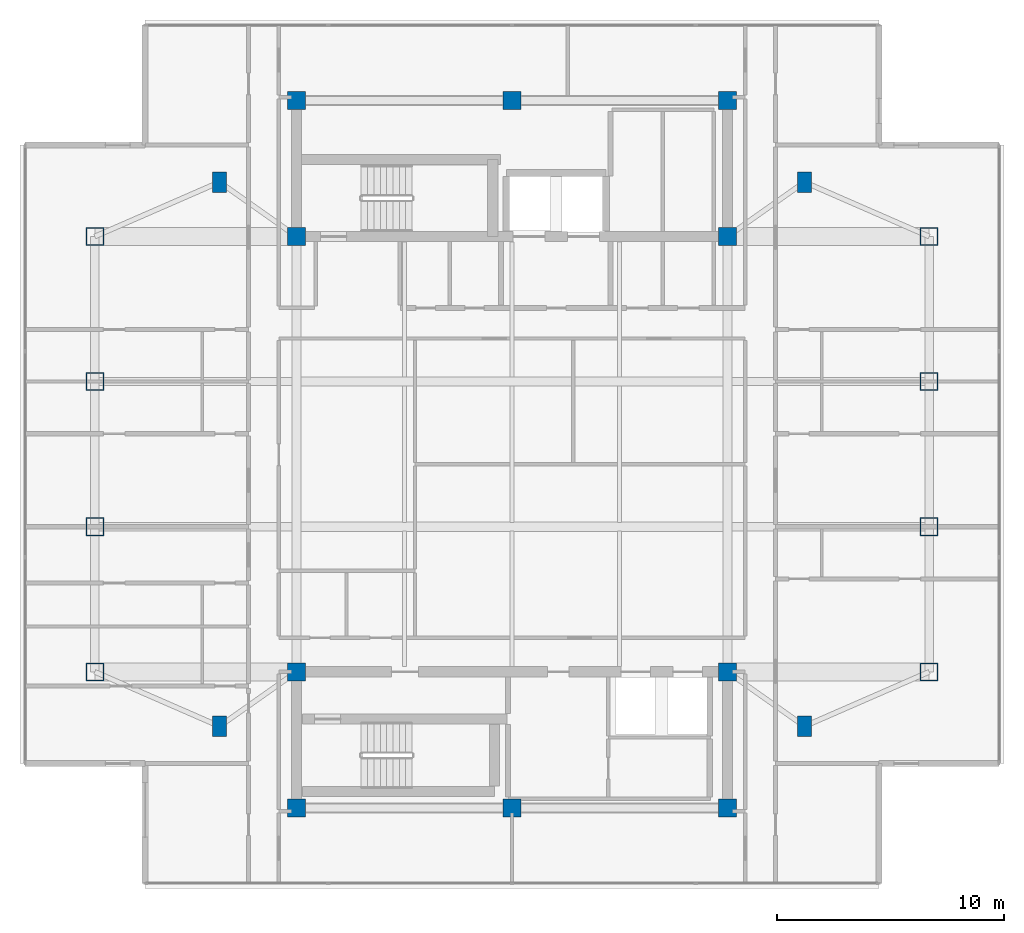
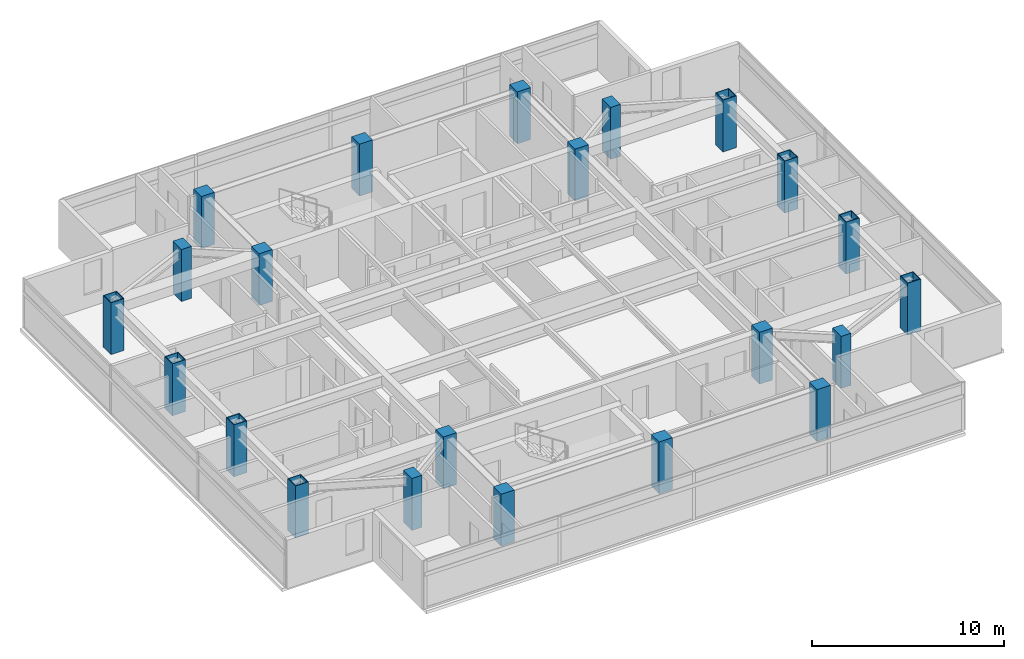
# One storey, part 1 of 14: 22 columns.
"""IFC4 building model written with IfcOpenShell, lengths in metres."""

import ifcopenshell
import ifcopenshell.guid

model = None  # the IFC model being written
_history = None  # IfcOwnerHistory: only IFC2X3 demands one
_inside = {}  # id of a spatial element -> (the spatial element, [elements in it])
_under = {}  # id of a project, library or spatial element -> (it, [spatial elements below it])
_declared = {}  # id of a project -> (the project, [libraries it declares])
_typed = {}  # id of a type object -> (the type object, [elements of that type])
_made_of = {}  # id of a material, layer set ... -> (it, [elements and type objects made of it])


def new_model(schema):
    """Start an empty IFC model of exactly this schema.

    Asked for "IFC4X3", IfcOpenShell would pick the latest addendum, in which some entities
    have other attributes; the version numbers below select the first issue.
    IFC2X3 requires an IfcOwnerHistory on every rooted entity: one is made here for all.
    """
    global model, _history
    if schema == "IFC4X3":
        model = ifcopenshell.file(schema_version=(4, 3, 0, 0))
    else:
        model = ifcopenshell.file(schema=schema)
    _inside.clear()
    _under.clear()
    _declared.clear()
    _typed.clear()
    _made_of.clear()
    _history = None
    if model.schema == "IFC2X3":
        org = make("IfcOrganization", Name="unknown")
        user = make(
            "IfcPersonAndOrganization",
            ThePerson=make("IfcPerson", FamilyName="unknown"),
            TheOrganization=org,
        )
        app = make(
            "IfcApplication",
            ApplicationDeveloper=org,
            Version="unknown",
            ApplicationFullName="unknown",
            ApplicationIdentifier="unknown",
        )
        _history = make(
            "IfcOwnerHistory",
            OwningUser=user,
            OwningApplication=app,
            ChangeAction="ADDED",
            CreationDate=0,
        )
    return model


def make(cls, **values):
    """One entity of the class cls with the attributes given. An attribute that is None is left unset."""
    return model.create_entity(
        cls, **{name: value for name, value in values.items() if value is not None}
    )


def rooted(cls, **values):
    """An entity with a GlobalId (a new one), such as an element, a storey or a relation."""
    return make(cls, GlobalId=ifcopenshell.guid.new(), OwnerHistory=_history, **values)


def si_unit(unit_type, name, prefix=None):
    """IfcSIUnit, for example si_unit("LENGTHUNIT", "METRE", prefix="MILLI")."""
    return make("IfcSIUnit", UnitType=unit_type, Prefix=prefix, Name=name)


def assignment(units):
    """IfcUnitAssignment: the units of a project."""
    return None if units is None else make("IfcUnitAssignment", Units=units)


def point(xyz):
    """IfcCartesianPoint."""
    return None if xyz is None else make("IfcCartesianPoint", Coordinates=xyz)


def direction(xyz):
    """IfcDirection."""
    return None if xyz is None else make("IfcDirection", DirectionRatios=xyz)


def frame(location, z_axis=None, x_axis=None):
    """IfcAxis2Placement3D, a coordinate frame: its origin and axes. An axis left out is left unset."""
    return make(
        "IfcAxis2Placement3D",
        Location=point(location),
        Axis=direction(z_axis),
        RefDirection=direction(x_axis),
    )


def frame_2d(location, x_axis=None):
    """IfcAxis2Placement2D, a coordinate frame in the plane: its origin and x axis."""
    return make(
        "IfcAxis2Placement2D", Location=point(location), RefDirection=direction(x_axis)
    )


def origin():
    """The frame at (0, 0, 0) with its axes left unset."""
    return frame((0.0, 0.0, 0.0))


def origin_2d():
    """The frame at (0, 0) in the plane with its x axis left unset."""
    return frame_2d((0.0, 0.0))


def place(relative_to, where):
    """IfcLocalPlacement: puts the frame where relative to a parent placement (None: the world)."""
    return make(
        "IfcLocalPlacement", PlacementRelTo=relative_to, RelativePlacement=where
    )


def context(
    kind, dimensions, precision=None, world=None, true_north=None, identifier=None
):
    """IfcGeometricRepresentationContext, for example the 3D "Model" context."""
    return make(
        "IfcGeometricRepresentationContext",
        ContextIdentifier=identifier,
        ContextType=kind,
        CoordinateSpaceDimension=dimensions,
        Precision=precision,
        WorldCoordinateSystem=world,
        TrueNorth=true_north,
    )


def subcontext(parent, identifier, kind, view, scale=None):
    """IfcGeometricRepresentationSubContext, for example "Body" below "Model"."""
    return make(
        "IfcGeometricRepresentationSubContext",
        ContextIdentifier=identifier,
        ContextType=kind,
        ParentContext=parent,
        TargetScale=scale,
        TargetView=view,
    )


def project(units=None, contexts=None):
    """IfcProject with its units and contexts."""
    return rooted(
        "IfcProject",
        Name="project",
        RepresentationContexts=contexts,
        UnitsInContext=assignment(units),
    )


def spatial(cls, under=None, at=None, **own):
    """A site, building, storey or space (cls), placed at a placement, below another one or the project."""
    s = rooted(cls, ObjectPlacement=at, **own)
    if under is not None:
        _under.setdefault(under.id(), (under, []))[1].append(s)
    return s


def profile(cls, at=None, kind="AREA", **sizes):
    """A parametric profile (cls). Its sizes go by their IFC names, for example OverallWidth=200.0."""
    return make(cls, ProfileType=kind, Position=at, **sizes)


def rectangle(**sizes):
    """IfcRectangleProfileDef."""
    return profile("IfcRectangleProfileDef", **sizes)


def hollow_rectangle(**sizes):
    """IfcRectangleHollowProfileDef."""
    return profile("IfcRectangleHollowProfileDef", **sizes)


def extrude(swept, where, along, depth):
    """IfcExtrudedAreaSolid: the profile swept, set in the frame where, extruded along a direction by depth."""
    return make(
        "IfcExtrudedAreaSolid",
        SweptArea=swept,
        Position=where,
        ExtrudedDirection=direction(along),
        Depth=depth,
    )


def shape(context_of_items, identifier, shape_type, items):
    """IfcShapeRepresentation: the items that make up one representation, for example the "Body"."""
    return make(
        "IfcShapeRepresentation",
        ContextOfItems=context_of_items,
        RepresentationIdentifier=identifier,
        RepresentationType=shape_type,
        Items=items,
    )


def material(Name=None, Category=None):
    """IfcMaterial."""
    return make("IfcMaterial", Name=Name, Category=Category)


def material_profile(
    of_material, cross_section, Name=None, Category=None, Priority=None
):
    """IfcMaterialProfile: a cross section and its material."""
    return make(
        "IfcMaterialProfile",
        Name=Name,
        Material=of_material,
        Profile=cross_section,
        Priority=Priority,
        Category=Category,
    )


def profile_set(profiles, Name=None, composite=None):
    """IfcMaterialProfileSet."""
    return make(
        "IfcMaterialProfileSet",
        Name=Name,
        MaterialProfiles=profiles,
        CompositeProfile=composite,
    )


def made_of(thing, what):
    """Note that an element or type object is made of a material, layer set ...; save() writes the relation."""
    if what is not None:
        _made_of.setdefault(what.id(), (what, []))[1].append(thing)
    return thing


def type_object(cls, material=None, **own):
    """A type object (cls), such as IfcWallType, which elements share."""
    return made_of(rooted(cls, **own), material)


def element(
    cls,
    number,
    at=None,
    inside=None,
    cuts=None,
    type_object=None,
    material=None,
    context=None,
    identifier="Body",
    shape_type=None,
    held_by="IfcProductDefinitionShape",
    body=None,
    shapes=None,
    **own,
):
    """One element of the class cls, such as IfcWall. Its Tag is "e" and its number.

    at: its placement. inside: the storey or other place that contains it. cuts: it is an
    opening in that element (IfcRelVoidsElement). A single representation is given by context,
    identifier, shape_type and body (its items); several are given by shapes. held_by: the class
    of the entity that holds the representations. save() writes the other relations.
    """
    e = rooted(cls, Tag="e%d" % number, ObjectPlacement=at, **own)
    if body is not None:
        shapes = [shape(context, identifier, shape_type, body)]
    if shapes is not None:
        e.Representation = make(held_by, Representations=shapes)
    if inside is not None:
        _inside.setdefault(inside.id(), (inside, []))[1].append(e)
    if cuts is not None:
        rooted(
            "IfcRelVoidsElement", RelatingBuildingElement=cuts, RelatedOpeningElement=e
        )
    if type_object is not None:
        _typed.setdefault(type_object.id(), (type_object, []))[1].append(e)
    return made_of(e, material)


def aggregate(whole, parts):
    """IfcRelAggregates: a whole, such as a stair, and the parts it consists of."""
    return rooted("IfcRelAggregates", RelatingObject=whole, RelatedObjects=parts)


def save(model, path):
    """Write the relations noted so far, then the file.

    IfcRelAggregates (storeys below a building ...), IfcRelContainedInSpatialStructure (elements
    in a storey), IfcRelDefinesByType, IfcRelAssociatesMaterial and IfcRelDeclares: one each for
    every whole, place, type object, material and project.
    """
    for whole, parts in _under.values():
        aggregate(whole, parts)
    for where, things in _inside.values():
        rooted(
            "IfcRelContainedInSpatialStructure",
            RelatedElements=things,
            RelatingStructure=where,
        )
    for kind, things in _typed.values():
        rooted("IfcRelDefinesByType", RelatedObjects=things, RelatingType=kind)
    for what, things in _made_of.values():
        rooted("IfcRelAssociatesMaterial", RelatedObjects=things, RelatingMaterial=what)
    for by, libraries in _declared.values():
        rooted("IfcRelDeclares", RelatingContext=by, RelatedDefinitions=libraries)
    model.write(path)


model = new_model("IFC4")

# Units and contexts
model_context = context("Model", 3, precision=1e-05, world=origin(), true_north=direction((0.0, 1.0)))
body_context = subcontext(model_context, "Body", "Model", "MODEL_VIEW")
ifc_project = project(units=[si_unit("LENGTHUNIT", "METRE"), si_unit("AREAUNIT", "SQUARE_METRE"), si_unit("VOLUMEUNIT", "CUBIC_METRE"), si_unit("PLANEANGLEUNIT", "RADIAN"), si_unit("MASSUNIT", "GRAM", prefix="KILO")], contexts=[model_context])

# Site, building, storey
site_placement = place(None, origin())
site = spatial("IfcSite", under=ifc_project, at=site_placement, CompositionType="ELEMENT")
building_placement = place(site_placement, origin())
building = spatial("IfcBuilding", under=site, at=building_placement, Name="Mirazonda Arch Towers", CompositionType="ELEMENT")
storey_placement = place(building_placement, frame((0.0, 0.0, 235.89990234375)))
storey = spatial("IfcBuildingStorey", under=building, at=storey_placement, Name="L67", CompositionType="ELEMENT", Elevation=235.89990234375)

# Columns
ifc_material_1 = material(Name="Concrete C50/60", Category="concrete")
ifc_material_profile_1 = material_profile(ifc_material_1, rectangle(XDim=0.800048828125, YDim=0.800048828125, at=origin_2d()), Name="RC800x800")
ifc_profile_set_1 = profile_set([ifc_material_profile_1], Name="Concrete C50/60")
column_type_1 = type_object("IfcColumnType", Name="COL-INT-RC800x800", PredefinedType="COLUMN", material=ifc_profile_set_1)
for number, where, z_axis, x_axis, name in (
    (1, (11.0, 12.39990234375, 0.0), (0.0, 0.0, 1.0), (1.0, 0.0, 0.0), "L67 T1 Core Column 01"),
    (2, (20.5, 12.39990234375, 0.0), (0.0, 0.0, 1.0), (1.0, 0.0, 0.0), "L67 T1 Core Column 02"),
    (3, (30.0, 12.39990234375, 0.0), (0.0, 0.0, 1.0), (1.0, 0.0, 0.0), "L67 T1 Core Column 03"),
    (4, (11.0, 18.39990234375, 0.0), (0.0, 0.0, 1.0), (1.0, 0.0, 0.0), "L67 T1 Core Column 04"),
    (5, (30.0, 18.39990234375, 0.0), (0.0, 0.0, 1.0), (1.0, 0.0, 0.0), "L67 T1 Core Column 05"),
    (6, (11.0, 37.60009765625, 0.0), (0.0, 0.0, 1.0), (1.0, 0.0, 0.0), "L67 T1 Core Column 06"),
    (7, (30.0, 37.60009765625, 0.0), (0.0, 0.0, 1.0), (1.0, 0.0, 0.0), "L67 T1 Core Column 07"),
    (8, (11.0, 43.60009765625, 0.0), (0.0, 0.0, 1.0), (1.0, 0.0, 0.0), "L67 T1 Core Column 08"),
    (9, (20.5, 43.60009765625, 0.0), (0.0, 0.0, 1.0), (1.0, 0.0, 0.0), "L67 T1 Core Column 09"),
    (10, (30.0, 43.60009765625, 0.0), (0.0, 0.0, 1.0), (1.0, 0.0, 0.0), "L67 T1 Core Column 10"),
):
    element("IfcColumn", number, at=place(storey_placement, frame(where, z_axis=z_axis, x_axis=x_axis)), inside=storey, type_object=column_type_1, Name=name, PredefinedType="COLUMN", context=body_context, shape_type="SweptSolid", body=[
        extrude(rectangle(XDim=0.800048828125, YDim=0.800048828125, at=origin_2d()), origin(), (0.0, 0.0, 1.0), 3.300048828125),
    ])
ifc_material_2 = material(Name="Steel ASTM A572 Grade 50", Category="steel")
ifc_material_profile_2 = material_profile(ifc_material_2, hollow_rectangle(XDim=0.800048828125, YDim=0.800048828125, WallThickness=0.044921875, at=origin_2d()), Name="BOX800x800x45")
ifc_profile_set_2 = profile_set([ifc_material_profile_2], Name="Steel ASTM A572 Grade 50")
column_type_2 = type_object("IfcColumnType", Name="MCOL-EXT-BOX800x800x45", PredefinedType="COLUMN", material=ifc_profile_set_2)
for number, where, z_axis, x_axis, name in (
    (11, (2.10009765625, 18.39990234375, 0.0), (0.0, 0.0, 1.0), (1.0, 0.0, 0.0), "L67 T1 Composite Mega-Column 01"),
    (12, (2.10009765625, 24.800048828125, 0.0), (0.0, 0.0, 1.0), (1.0, 0.0, 0.0), "L67 T1 Composite Mega-Column 02"),
    (13, (2.10009765625, 31.199951171875, 0.0), (0.0, 0.0, 1.0), (1.0, 0.0, 0.0), "L67 T1 Composite Mega-Column 03"),
    (14, (2.10009765625, 37.60009765625, 0.0), (0.0, 0.0, 1.0), (1.0, 0.0, 0.0), "L67 T1 Composite Mega-Column 04"),
    (15, (38.89990234375, 18.39990234375, 0.0), (0.0, 0.0, 1.0), (1.0, 0.0, 0.0), "L67 T1 Composite Mega-Column 05"),
    (16, (38.89990234375, 24.800048828125, 0.0), (0.0, 0.0, 1.0), (1.0, 0.0, 0.0), "L67 T1 Composite Mega-Column 06"),
    (17, (38.89990234375, 31.199951171875, 0.0), (0.0, 0.0, 1.0), (1.0, 0.0, 0.0), "L67 T1 Composite Mega-Column 07"),
    (18, (38.89990234375, 37.60009765625, 0.0), (0.0, 0.0, 1.0), (1.0, 0.0, 0.0), "L67 T1 Composite Mega-Column 08"),
):
    element("IfcColumn", number, at=place(storey_placement, frame(where, z_axis=z_axis, x_axis=x_axis)), inside=storey, type_object=column_type_2, Name=name, PredefinedType="COLUMN", context=body_context, shape_type="SweptSolid", body=[
        extrude(hollow_rectangle(XDim=0.800048828125, YDim=0.800048828125, WallThickness=0.044921875, at=origin_2d()), origin(), (0.0, 0.0, 1.0), 3.300048828125),
    ])
ifc_material_profile_3 = material_profile(ifc_material_1, rectangle(XDim=0.60009765625, YDim=0.89990234375, at=origin_2d()), Name="RC900x600")
ifc_profile_set_3 = profile_set([ifc_material_profile_3], Name="Concrete C50/60")
column_type_3 = type_object("IfcColumnType", Name="PIL-EXT-RC900x600", PredefinedType="PILASTER", material=ifc_profile_set_3)
for number, where, z_axis, x_axis, name in (
    (19, (7.60009765625, 16.0, 0.0), (0.0, 0.0, 1.0), (1.0, 0.0, 0.0), "L67 T1 Corner Pilaster 01"),
    (20, (33.39990234375, 16.0, 0.0), (0.0, 0.0, 1.0), (1.0, 0.0, 0.0), "L67 T1 Corner Pilaster 02"),
    (21, (7.60009765625, 40.0, 0.0), (0.0, 0.0, 1.0), (1.0, 0.0, 0.0), "L67 T1 Corner Pilaster 03"),
    (22, (33.39990234375, 40.0, 0.0), (0.0, 0.0, 1.0), (1.0, 0.0, 0.0), "L67 T1 Corner Pilaster 04"),
):
    element("IfcColumn", number, at=place(storey_placement, frame(where, z_axis=z_axis, x_axis=x_axis)), inside=storey, type_object=column_type_3, Name=name, PredefinedType="PILASTER", context=body_context, shape_type="SweptSolid", body=[
        extrude(rectangle(XDim=0.60009765625, YDim=0.89990234375, at=origin_2d()), origin(), (0.0, 0.0, 1.0), 3.300048828125),
    ])

save(model, "model.ifc")
